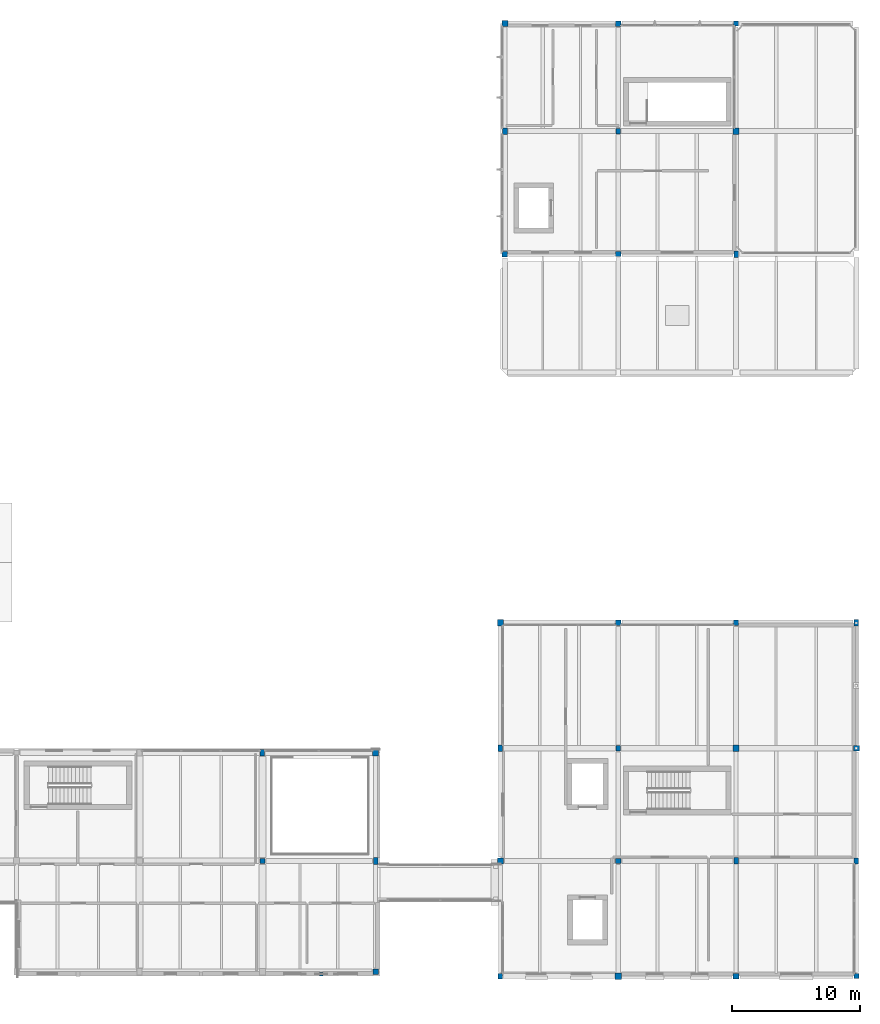
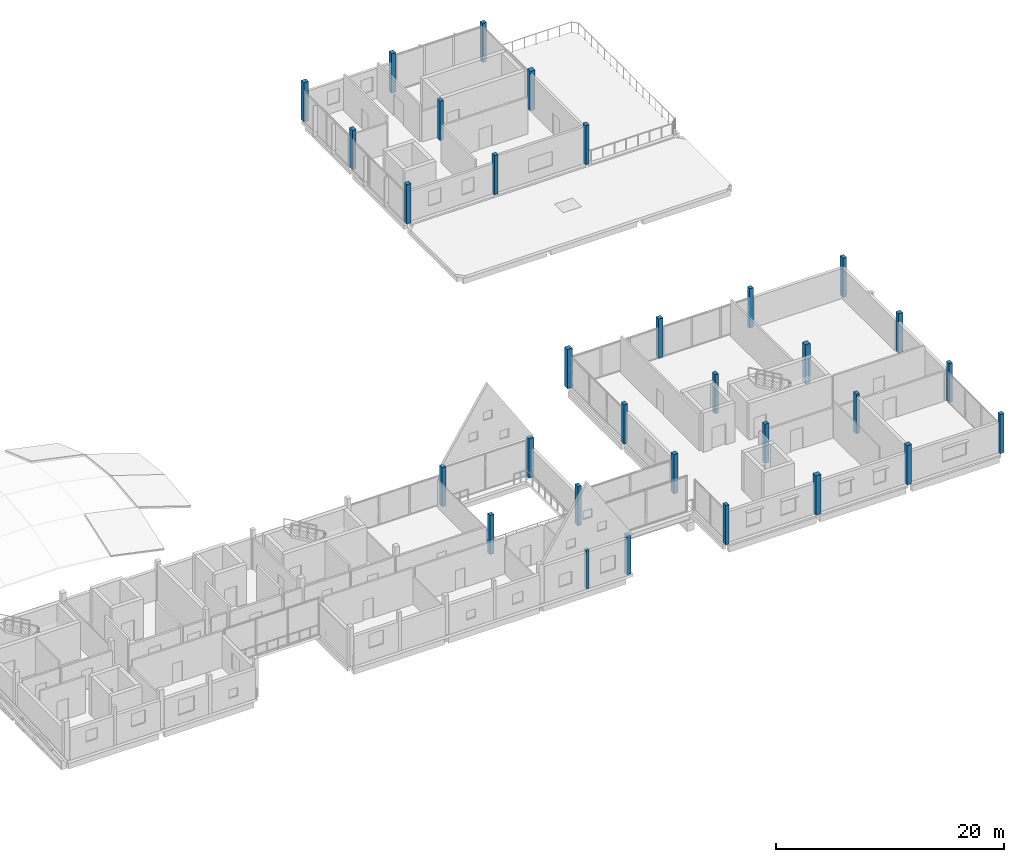
# One storey, part 2 of 35: 31 columns.
"""IFC4 building model written with IfcOpenShell, lengths in metres."""

from ifc_helpers import new_model, si_unit, direction, frame, origin, origin_2d, place, context, subcontext, project, spatial, rectangle, extrude, material, material_profile, profile_set, type_object, element, save


model = new_model("IFC4")

# Units and contexts
model_context = context("Model", 3, precision=1e-05, world=origin(), true_north=direction((0.0, 1.0)))
body_context = subcontext(model_context, "Body", "Model", "MODEL_VIEW")
ifc_project = project(units=[si_unit("LENGTHUNIT", "METRE"), si_unit("AREAUNIT", "SQUARE_METRE"), si_unit("VOLUMEUNIT", "CUBIC_METRE"), si_unit("PLANEANGLEUNIT", "RADIAN"), si_unit("MASSUNIT", "GRAM", prefix="KILO")], contexts=[model_context])

# Site, building, storey
site_placement = place(None, origin())
site = spatial("IfcSite", under=ifc_project, at=site_placement, CompositionType="ELEMENT")
building_placement = place(site_placement, origin())
building = spatial("IfcBuilding", under=site, at=building_placement, Name="Birchvale Park Specialist Clinic", CompositionType="ELEMENT")
storey_placement = place(building_placement, frame((0.0, 0.0, 13.800048828125)))
storey = spatial("IfcBuildingStorey", under=building, at=storey_placement, Name="L03", CompositionType="ELEMENT", Elevation=13.800048828125)

# Columns
ifc_material = material(Name="Concrete C40/50", Category="concrete")
ifc_material_profile_1 = material_profile(ifc_material, rectangle(XDim=0.47998046875, YDim=0.47998046875, at=origin_2d()), Name="RC-480x480")
ifc_profile_set_1 = profile_set([ifc_material_profile_1], Name="Concrete C40/50")
column_type_1 = type_object("IfcColumnType", Name="COL-EXT-C05", PredefinedType="COLUMN", material=ifc_profile_set_1)
for number, where, z_axis, x_axis, name in (
    (1, (118.25, 34.25, 0.0), (0.0, 0.0, 1.0), (1.0, 0.0, 0.0), "V4 L03 column 21"),
    (2, (128.35009765625, 91.199951171875, 0.0), (0.0, 0.0, 1.0), (1.0, 0.0, 0.0), "V6 L03 column 3"),
):
    element("IfcColumn", number, at=place(storey_placement, frame(where, z_axis=z_axis, x_axis=x_axis)), inside=storey, type_object=column_type_1, Name=name, PredefinedType="COLUMN", context=body_context, shape_type="SweptSolid", body=[
        extrude(rectangle(XDim=0.47998046875, YDim=0.47998046875, at=origin_2d()), origin(), (0.0, 0.0, 1.0), 4.199951171875),
    ])
ifc_material_profile_2 = material_profile(ifc_material, rectangle(XDim=0.429931640625, YDim=0.429931640625, at=origin_2d()), Name="RC-430x430")
ifc_profile_set_2 = profile_set([ifc_material_profile_2], Name="Concrete C40/50")
column_type_2 = type_object("IfcColumnType", Name="COL-EXT-C06", PredefinedType="COLUMN", material=ifc_profile_set_2)
for number, where, z_axis, x_axis, name in (
    (3, (118.25, 17.14990234375, 0.0), (0.0, 0.0, 1.0), (1.0, 0.0, 0.0), "V4 L03 column 19"),
    (4, (128.35009765625, 73.199951171875, 0.0), (0.0, 0.0, 1.0), (1.0, 0.0, 0.0), "V6 L03 column 1"),
):
    element("IfcColumn", number, at=place(storey_placement, frame(where, z_axis=z_axis, x_axis=x_axis)), inside=storey, type_object=column_type_2, Name=name, PredefinedType="COLUMN", context=body_context, shape_type="SweptSolid", body=[
        extrude(rectangle(XDim=0.429931640625, YDim=0.429931640625, at=origin_2d()), origin(), (0.0, 0.0, 1.0), 4.199951171875),
    ])
ifc_material_profile_3 = material_profile(ifc_material, rectangle(XDim=0.3701171875, YDim=0.52001953125, at=origin_2d()), Name="RC-370x520")
ifc_profile_set_3 = profile_set([ifc_material_profile_3], Name="Concrete C40/50")
column_type_3 = type_object("IfcColumnType", Name="COL-EXT-C11", PredefinedType="COLUMN", material=ifc_profile_set_3)
for number, where, z_axis, x_axis, name in (
    (5, (118.25, 25.800048828125, 0.0), (0.0, 0.0, 1.0), (1.0, 0.0, 0.0), "V4 L03 column 20"),
    (6, (128.35009765625, 82.800048828125, 0.0), (0.0, 0.0, 1.0), (1.0, 0.0, 0.0), "V6 L03 column 2"),
):
    element("IfcColumn", number, at=place(storey_placement, frame(where, z_axis=z_axis, x_axis=x_axis)), inside=storey, type_object=column_type_3, Name=name, PredefinedType="COLUMN", context=body_context, shape_type="SweptSolid", body=[
        extrude(rectangle(XDim=0.3701171875, YDim=0.52001953125, at=origin_2d()), origin(), (0.0, 0.0, 1.0), 4.199951171875),
    ])
ifc_material_profile_4 = material_profile(ifc_material, rectangle(XDim=0.3701171875, YDim=0.47998046875, at=origin_2d()), Name="RC-370x480")
ifc_profile_set_4 = profile_set([ifc_material_profile_4], Name="Concrete C40/50")
column_type_4 = type_object("IfcColumnType", Name="COL-EXT-C12", PredefinedType="COLUMN", material=ifc_profile_set_4)
column_1_placement = place(storey_placement, frame((109.39990234375, 34.25, 0.0), z_axis=(0.0, 0.0, 1.0), x_axis=(1.0, 0.0, 0.0)))
element("IfcColumn", 7, at=column_1_placement, inside=storey, type_object=column_type_4, Name="V4 L03 column 18", PredefinedType="COLUMN", context=body_context, shape_type="SweptSolid", body=[
    extrude(rectangle(XDim=0.3701171875, YDim=0.47998046875, at=origin_2d()), origin(), (0.0, 0.0, 1.0), 4.199951171875),
])
ifc_material_profile_5 = material_profile(ifc_material, rectangle(XDim=0.5, YDim=0.5, at=origin_2d()), Name="RC-500x500")
ifc_profile_set_5 = profile_set([ifc_material_profile_5], Name="Concrete C40/50")
column_type_5 = type_object("IfcColumnType", Name="COL-INT-C05", PredefinedType="COLUMN", material=ifc_profile_set_5)
for number, where, z_axis, x_axis, name in (
    (8, (128.0, 44.39990234375, 0.0), (0.0, 0.0, 1.0), (1.0, 0.0, 0.0), "V5 L03 column 4"),
    (9, (137.199951171875, 16.800048828125, 0.0), (0.0, 0.0, 1.0), (1.0, 0.0, 0.0), "V5 L03 column 5"),
    (10, (146.39990234375, 34.60009765625, 0.0), (0.0, 0.0, 1.0), (1.0, 0.0, 0.0), "V5 L03 column 11"),
    (11, (146.39990234375, 82.800048828125, 0.0), (0.0, 0.0, 1.0), (1.0, 0.0, 0.0), "V6 L03 column 8"),
):
    element("IfcColumn", number, at=place(storey_placement, frame(where, z_axis=z_axis, x_axis=x_axis)), inside=storey, type_object=column_type_5, Name=name, PredefinedType="COLUMN", context=body_context, shape_type="SweptSolid", body=[
        extrude(rectangle(XDim=0.5, YDim=0.5, at=origin_2d()), origin(), (0.0, 0.0, 1.0), 4.199951171875),
    ])
ifc_material_profile_6 = material_profile(ifc_material, rectangle(XDim=0.449951171875, YDim=0.449951171875, at=origin_2d()), Name="RC-450x450")
ifc_profile_set_6 = profile_set([ifc_material_profile_6], Name="Concrete C40/50")
column_type_6 = type_object("IfcColumnType", Name="COL-INT-C06", PredefinedType="COLUMN", material=ifc_profile_set_6)
for number, where, z_axis, x_axis, name in (
    (12, (128.0, 25.800048828125, 0.0), (0.0, 0.0, 1.0), (1.0, 0.0, 0.0), "V5 L03 column 2"),
    (13, (137.199951171875, 44.39990234375, 0.0), (0.0, 0.0, 1.0), (1.0, 0.0, 0.0), "V5 L03 column 8"),
    (14, (146.39990234375, 16.800048828125, 0.0), (0.0, 0.0, 1.0), (1.0, 0.0, 0.0), "V5 L03 column 9"),
    (15, (155.800048828125, 34.60009765625, 0.0), (0.0, 0.0, 1.0), (1.0, 0.0, 0.0), "V5 L03 column 15"),
    (16, (137.199951171875, 91.199951171875, 0.0), (0.0, 0.0, 1.0), (1.0, 0.0, 0.0), "V6 L03 column 6"),
):
    element("IfcColumn", number, at=place(storey_placement, frame(where, z_axis=z_axis, x_axis=x_axis)), inside=storey, type_object=column_type_6, Name=name, PredefinedType="COLUMN", context=body_context, shape_type="SweptSolid", body=[
        extrude(rectangle(XDim=0.449951171875, YDim=0.449951171875, at=origin_2d()), origin(), (0.0, 0.0, 1.0), 4.199951171875),
    ])
ifc_material_profile_7 = material_profile(ifc_material, rectangle(XDim=0.39990234375, YDim=0.39990234375, at=origin_2d()), Name="RC-400x400")
ifc_profile_set_7 = profile_set([ifc_material_profile_7], Name="Concrete C40/50")
column_type_7 = type_object("IfcColumnType", Name="COL-INT-C07", PredefinedType="COLUMN", material=ifc_profile_set_7)
for number, where, z_axis, x_axis, name in (
    (17, (109.39990234375, 25.800048828125, 0.0), (0.0, 0.0, 1.0), (1.0, 0.0, 0.0), "V4 L03 column 17"),
    (18, (137.199951171875, 25.800048828125, 0.0), (0.0, 0.0, 1.0), (1.0, 0.0, 0.0), "V5 L03 column 6"),
    (19, (146.39990234375, 44.39990234375, 0.0), (0.0, 0.0, 1.0), (1.0, 0.0, 0.0), "V5 L03 column 12"),
    (20, (155.800048828125, 16.800048828125, 0.0), (0.0, 0.0, 1.0), (1.0, 0.0, 0.0), "V5 L03 column 13"),
    (21, (137.199951171875, 73.199951171875, 0.0), (0.0, 0.0, 1.0), (1.0, 0.0, 0.0), "V6 L03 column 4"),
    (22, (146.39990234375, 91.199951171875, 0.0), (0.0, 0.0, 1.0), (1.0, 0.0, 0.0), "V6 L03 column 9"),
):
    element("IfcColumn", number, at=place(storey_placement, frame(where, z_axis=z_axis, x_axis=x_axis)), inside=storey, type_object=column_type_7, Name=name, PredefinedType="COLUMN", context=body_context, shape_type="SweptSolid", body=[
        extrude(rectangle(XDim=0.39990234375, YDim=0.39990234375, at=origin_2d()), origin(), (0.0, 0.0, 1.0), 4.199951171875),
    ])
ifc_material_profile_8 = material_profile(ifc_material, rectangle(XDim=0.35009765625, YDim=0.5, at=origin_2d()), Name="RC-350x500")
ifc_profile_set_8 = profile_set([ifc_material_profile_8], Name="Concrete C40/50")
column_type_8 = type_object("IfcColumnType", Name="COL-INT-C11", PredefinedType="COLUMN", material=ifc_profile_set_8)
for number, where, z_axis, x_axis, name in (
    (23, (128.0, 34.60009765625, 0.0), (0.0, 0.0, 1.0), (1.0, 0.0, 0.0), "V5 L03 column 3"),
    (24, (146.39990234375, 25.800048828125, 0.0), (0.0, 0.0, 1.0), (1.0, 0.0, 0.0), "V5 L03 column 10"),
    (25, (155.800048828125, 44.39990234375, 0.0), (0.0, 0.0, 1.0), (1.0, 0.0, 0.0), "V5 L03 column 16"),
    (26, (146.39990234375, 73.199951171875, 0.0), (0.0, 0.0, 1.0), (1.0, 0.0, 0.0), "V6 L03 column 7"),
):
    element("IfcColumn", number, at=place(storey_placement, frame(where, z_axis=z_axis, x_axis=x_axis)), inside=storey, type_object=column_type_8, Name=name, PredefinedType="COLUMN", context=body_context, shape_type="SweptSolid", body=[
        extrude(rectangle(XDim=0.35009765625, YDim=0.5, at=origin_2d()), origin(), (0.0, 0.0, 1.0), 4.199951171875),
    ])
ifc_material_profile_9 = material_profile(ifc_material, rectangle(XDim=0.35009765625, YDim=0.449951171875, at=origin_2d()), Name="RC-350x450")
ifc_profile_set_9 = profile_set([ifc_material_profile_9], Name="Concrete C40/50")
column_type_9 = type_object("IfcColumnType", Name="COL-INT-C12", PredefinedType="COLUMN", material=ifc_profile_set_9)
for number, where, z_axis, x_axis, name in (
    (27, (128.0, 16.800048828125, 0.0), (0.0, 0.0, 1.0), (1.0, 0.0, 0.0), "V5 L03 column 1"),
    (28, (137.199951171875, 34.60009765625, 0.0), (0.0, 0.0, 1.0), (1.0, 0.0, 0.0), "V5 L03 column 7"),
    (29, (155.800048828125, 25.800048828125, 0.0), (0.0, 0.0, 1.0), (1.0, 0.0, 0.0), "V5 L03 column 14"),
    (30, (137.199951171875, 82.800048828125, 0.0), (0.0, 0.0, 1.0), (1.0, 0.0, 0.0), "V6 L03 column 5"),
):
    element("IfcColumn", number, at=place(storey_placement, frame(where, z_axis=z_axis, x_axis=x_axis)), inside=storey, type_object=column_type_9, Name=name, PredefinedType="COLUMN", context=body_context, shape_type="SweptSolid", body=[
        extrude(rectangle(XDim=0.35009765625, YDim=0.449951171875, at=origin_2d()), origin(), (0.0, 0.0, 1.0), 4.199951171875),
    ])
ifc_material_profile_10 = material_profile(ifc_material, rectangle(XDim=0.239990234375, YDim=0.320068359375, at=origin_2d()), Name="PIL-240x320")
ifc_profile_set_10 = profile_set([ifc_material_profile_10], Name="Concrete C40/50")
column_type_10 = type_object("IfcColumnType", Name="PIL-PL4", PredefinedType="PILASTER", material=ifc_profile_set_10)
column_2_placement = place(storey_placement, frame((114.0, 16.969970703125, 0.0), z_axis=(0.0, 0.0, 1.0), x_axis=(1.0, 0.0, 0.0)))
element("IfcColumn", 31, at=column_2_placement, inside=storey, type_object=column_type_10, Name="V4 L03 facade pilaster 24", PredefinedType="PILASTER", context=body_context, shape_type="SweptSolid", body=[
    extrude(rectangle(XDim=0.239990234375, YDim=0.320068359375, at=origin_2d()), origin(), (0.0, 0.0, 1.0), 4.199951171875),
])

save(model, "model.ifc")
